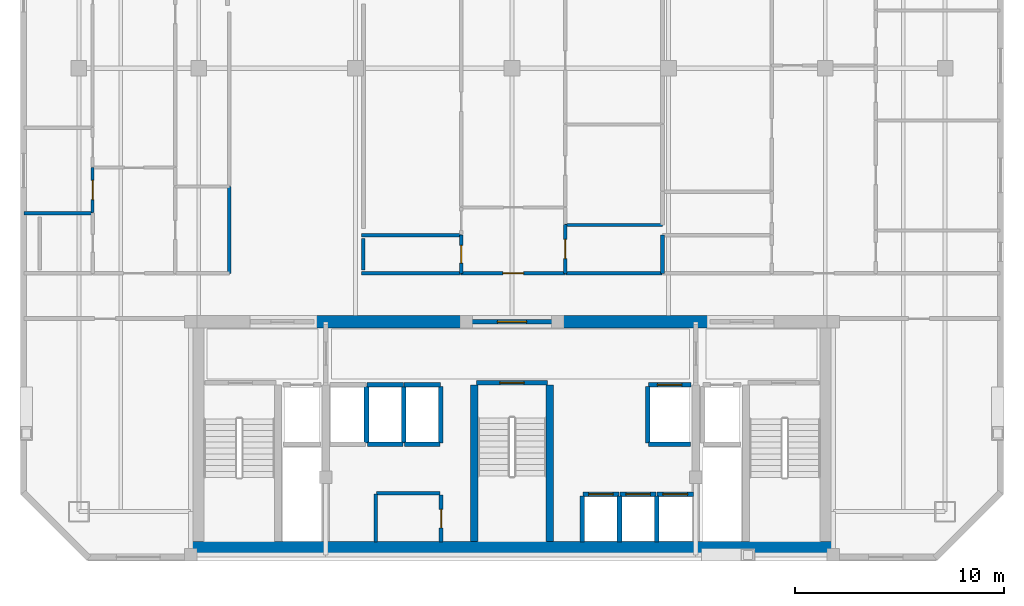
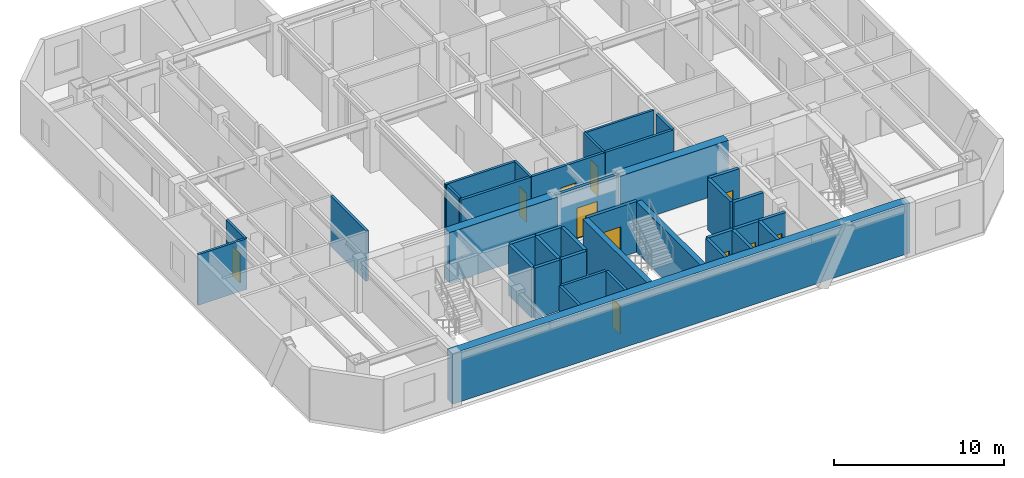
# One storey, part 5 of 10: 38 walls, 11 doors, 11 openings.
"""IFC4 building model written with IfcOpenShell, lengths in metres."""

from ifc_helpers import new_model, si_unit, direction, frame, frame_2d, origin, place, context, subcontext, project, spatial, rectangle, extrude, material, layer, layer_set, type_object, element, fill, save


model = new_model("IFC4")

# Units and contexts
model_context = context("Model", 3, precision=1e-05, world=origin(), true_north=direction((0.0, 1.0)))
body_context = subcontext(model_context, "Body", "Model", "MODEL_VIEW")
ifc_project = project(units=[si_unit("LENGTHUNIT", "METRE"), si_unit("AREAUNIT", "SQUARE_METRE"), si_unit("VOLUMEUNIT", "CUBIC_METRE"), si_unit("PLANEANGLEUNIT", "RADIAN"), si_unit("MASSUNIT", "GRAM", prefix="KILO")], contexts=[model_context])

# Site, building, storey
site_placement = place(None, origin())
site = spatial("IfcSite", under=ifc_project, at=site_placement, CompositionType="ELEMENT")
building_placement = place(site_placement, origin())
building = spatial("IfcBuilding", under=site, at=building_placement, Name="Ventersveld Concourse Tower", CompositionType="ELEMENT")
storey_placement = place(building_placement, frame((0.0, 0.0, 208.0)))
storey = spatial("IfcBuildingStorey", under=building, at=storey_placement, Name="L51", CompositionType="ELEMENT", Elevation=208.0)

# Walls
ifc_material_1 = material(Name="Concrete C50/60", Category="concrete")
ifc_layer_1 = layer(ifc_material_1, 0.35009765625)
ifc_layer_set_1 = layer_set([ifc_layer_1], Name="Concrete C50/60")
wall_type_1 = type_object("IfcWallType", Name="WL-CORE-350U", PredefinedType="SHEAR", material=ifc_layer_set_1)
for number, where, z_axis, x_axis, name in (
    (1, (26.93994140625, 0.919921875, 0.0), (0.0, 0.0, 1.0), (0.0, 1.0, 0.0), "L51 Core Internal Shear Web W-ST3-W"),
    (2, (30.56005859375, 0.919921875, 0.0), (0.0, 0.0, 1.0), (0.0, 1.0, 0.0), "L51 Core Internal Shear Web W-ST3-E"),
):
    element("IfcWall", number, at=place(storey_placement, frame(where, z_axis=z_axis, x_axis=x_axis)), inside=storey, type_object=wall_type_1, Name=name, PredefinedType="SHEAR", context=body_context, shape_type="SweptSolid", body=[
        extrude(rectangle(XDim=7.5, YDim=0.35009765625, at=frame_2d((3.75, 0.0))), origin(), (0.0, 0.0, 1.0), 3.6298828125),
    ])
ifc_layer_2 = layer(ifc_material_1, 0.60009765625)
ifc_layer_set_2 = layer_set([ifc_layer_2], Name="Concrete C50/60")
wall_type_2 = type_object("IfcWallType", Name="WL-CORE-600", PredefinedType="SHEAR", material=ifc_layer_set_2)
wall_1_placement = place(storey_placement, frame((13.25, 0.6201171875, 0.0), z_axis=(0.0, 0.0, 1.0), x_axis=(1.0, 0.0, 0.0)))
element("IfcWall", 3, at=wall_1_placement, inside=storey, type_object=wall_type_2, Name="L51 Rear Core South Shear Wall", PredefinedType="SHEAR", context=body_context, shape_type="SweptSolid", body=[
    extrude(rectangle(XDim=31.0, YDim=0.60009765625, at=frame_2d((15.5, 0.0))), origin(), (0.0, 0.0, 1.0), 3.6298828125),
])
for number, where, z_axis, x_axis, name in (
    (4, (19.300048828125, 11.449951171875, 0.0), (0.0, 0.0, 1.0), (1.0, 0.0, 0.0), "L51 Rear Core North Shear Wall NML"),
    (5, (30.89990234375, 11.449951171875, 0.0), (0.0, 0.0, 1.0), (1.0, 0.0, 0.0), "L51 Rear Core North Shear Wall NMR"),
):
    element("IfcWall", number, at=place(storey_placement, frame(where, z_axis=z_axis, x_axis=x_axis)), inside=storey, type_object=wall_type_2, Name=name, PredefinedType="SHEAR", context=body_context, shape_type="SweptSolid", body=[
        extrude(rectangle(XDim=7.300048828125, YDim=0.60009765625, at=frame_2d((3.64990234375, 0.0))), origin(), (0.0, 0.0, 1.0), 3.6298828125),
    ])

# Wall, opening, door
ifc_material_2 = material(Name="Fire-rated autoclaved aerated masonry blockwork", Category="masonry")
ifc_layer_3 = layer(ifc_material_2, 0.179931640625)
ifc_layer_set_3 = layer_set([ifc_layer_3], Name="Fire-rated autoclaved aerated masonry blockwork")
wall_type_3 = type_object("IfcWallType", Name="WL-CORR-180", PredefinedType="PARTITIONING", material=ifc_layer_set_3)
wall_2_placement = place(storey_placement, frame((25.35009765625, 0.89990234375, 0.0), z_axis=(0.0, 0.0, 1.0), x_axis=(0.0, 1.0, 0.0)))
wall_2 = element("IfcWall", 6, at=wall_2_placement, inside=storey, type_object=wall_type_3, Name="L51 Core Passage Wall SP-L51-RECB1", PredefinedType="PARTITIONING", context=body_context, shape_type="SweptSolid", body=[
    extrude(rectangle(XDim=2.239990234375, YDim=0.179931640625, at=frame_2d((1.1201171875, 0.0))), origin(), (0.0, 0.0, 1.0), 3.6298828125),
])
opening_1_placement = place(wall_2_placement, frame((0.679931640625, 0.0, 0.0)))
opening_1 = element("IfcOpeningElement", 7, at=opening_1_placement, cuts=wall_2, Name="Opening FD5", PredefinedType="OPENING", context=body_context, shape_type="SweptSolid", body=[
    extrude(rectangle(XDim=0.8798828125, YDim=2.050048828125, at=frame_2d((0.43994140625, 1.02490234375))), frame((0.0, 0.10009765625, 0.0), z_axis=(0.0, -1.0, 0.0), x_axis=(1.0, 0.0, 0.0)), (0.0, 0.0, 1.0), 0.199951171875),
])
ifc_material_3 = material(Name="Galvanised painted steel", Category="steel")
door_type_1 = type_object("IfcDoorType", Name="DR-RISER-088", OperationType="NOTDEFINED", PredefinedType="DOOR", material=ifc_material_3)
door_1_placement = place(opening_1_placement, origin())
door_1 = element("IfcDoor", 8, at=door_1_placement, inside=storey, type_object=door_type_1, Name="L51 Core Room Door L51 Reclaimed Core Residents Reading Room (CD-L51-2475)", OperationType="SINGLE_SWING_RIGHT", OverallHeight=2.050048828125, OverallWidth=0.8798828125, PredefinedType="DOOR", context=body_context, shape_type="SweptSolid", body=[
    extrude(rectangle(XDim=0.8798828125, YDim=2.050048828125, at=frame_2d((0.43994140625, 1.02490234375))), frame((0.0, 0.02490234375, 0.0), z_axis=(0.0, -1.0, 0.0), x_axis=(1.0, 0.0, 0.0)), (0.0, 0.0, 1.0), 0.050048828125),
])
fill(opening_1, door_1)

# Walls
wall_3_placement = place(storey_placement, frame((22.260009765625, 3.22998046875, 0.0), z_axis=(0.0, 0.0, 1.0), x_axis=(1.0, 0.0, 0.0)))
element("IfcWall", 9, at=wall_3_placement, inside=storey, type_object=wall_type_3, Name="L51 Core Top Wall SP-L51-RECB1", PredefinedType="PARTITIONING", context=body_context, shape_type="SweptSolid", body=[
    extrude(rectangle(XDim=3.0400390625, YDim=0.179931640625, at=frame_2d((1.52001953125, 0.0))), origin(), (0.0, 0.0, 1.0), 3.6298828125),
])
wall_4_placement = place(storey_placement, frame((22.219970703125, 0.909912109375, 0.0), z_axis=(0.0, 0.0, 1.0), x_axis=(0.0, 1.0, 0.0)))
element("IfcWall", 10, at=wall_4_placement, inside=storey, type_object=wall_type_3, Name="L51 Core West Wall SP-L51-RECB1", PredefinedType="PARTITIONING", context=body_context, shape_type="SweptSolid", body=[
    extrude(rectangle(XDim=2.280029296875, YDim=0.179931640625, at=frame_2d((1.14013671875, 0.0))), origin(), (0.0, 0.0, 1.0), 3.6298828125),
])
wall_5_placement = place(storey_placement, frame((15.2099609375, 13.764892578125, 0.0), z_axis=(0.0, 0.0, 1.0), x_axis=(0.0, 1.0, 0.0)))
element("IfcWall", 11, at=wall_5_placement, inside=storey, type_object=wall_type_3, Name="L51 Interior Partition SP-L51-COR-SP-L51-51NW-KIT", PredefinedType="PARTITIONING", context=body_context, shape_type="SweptSolid", body=[
    extrude(rectangle(XDim=4.17138671875, YDim=0.179931640625, at=frame_2d((2.085693359375, 0.0))), origin(), (0.0, 0.0, 1.0), 3.6298828125),
])

# Wall, opening, door
wall_6_placement = place(storey_placement, frame((26.314208984375, 13.77001953125, 0.0), z_axis=(0.0, 0.0, 1.0), x_axis=(1.0, 0.0, 0.0)))
wall_6 = element("IfcWall", 12, at=wall_6_placement, inside=storey, type_object=wall_type_3, Name="L51 Interior Partition SP-L51-COR-SP-L51-51CM-FOY", PredefinedType="PARTITIONING", context=body_context, shape_type="SweptSolid", body=[
    extrude(rectangle(XDim=4.989990234375, YDim=0.179931640625, at=frame_2d((2.4951171875, 0.0))), origin(), (0.0, 0.0, 1.0), 3.6298828125),
])
opening_2_placement = place(wall_6_placement, frame((1.9951171875, 0.0, 0.0)))
opening_2 = element("IfcOpeningElement", 13, at=opening_2_placement, cuts=wall_6, Name="Opening FD3", PredefinedType="OPENING", context=body_context, shape_type="SweptSolid", body=[
    extrude(rectangle(XDim=1.0, YDim=2.14990234375, at=frame_2d((0.5, 1.074951171875))), frame((0.0, 0.10009765625, 0.0), z_axis=(0.0, -1.0, 0.0), x_axis=(1.0, 0.0, 0.0)), (0.0, 0.0, 1.0), 0.199951171875),
])
ifc_material_4 = material(Name="Solid-core hardwood veneer timber", Category="wood")
door_type_2 = type_object("IfcDoorType", Name="DR-FLAT-100", OperationType="NOTDEFINED", PredefinedType="DOOR", material=ifc_material_4)
door_2_placement = place(opening_2_placement, origin())
door_2 = element("IfcDoor", 14, at=door_2_placement, inside=storey, type_object=door_type_2, Name="L51 Interior Door SP-L51-COR to SP-L51-51CM-FOY (FD-L51-2480)", OperationType="SINGLE_SWING_RIGHT", OverallHeight=2.14990234375, OverallWidth=1.0, PredefinedType="DOOR", context=body_context, shape_type="SweptSolid", body=[
    extrude(rectangle(XDim=1.0, YDim=2.14990234375, at=frame_2d((0.5, 1.074951171875))), frame((0.0, 0.02490234375, 0.0), z_axis=(0.0, -1.0, 0.0), x_axis=(1.0, 0.0, 0.0)), (0.0, 0.0, 1.0), 0.050048828125),
])
fill(opening_2, door_2)

# Walls
wall_7_placement = place(storey_placement, frame((21.534912109375, 13.77001953125, 0.0), z_axis=(0.0, 0.0, 1.0), x_axis=(1.0, 0.0, 0.0)))
element("IfcWall", 15, at=wall_7_placement, inside=storey, type_object=wall_type_3, Name="L51 Interior Partition SP-L51-COR-SP-L51-51CM-BATH", PredefinedType="PARTITIONING", context=body_context, shape_type="SweptSolid", body=[
    extrude(rectangle(XDim=4.749267578125, YDim=0.179931640625, at=frame_2d((2.37451171875, 0.0))), origin(), (0.0, 0.0, 1.0), 3.6298828125),
])
wall_8_placement = place(storey_placement, frame((31.334228515625, 13.77001953125, 0.0), z_axis=(0.0, 0.0, 1.0), x_axis=(1.0, 0.0, 0.0)))
element("IfcWall", 16, at=wall_8_placement, inside=storey, type_object=wall_type_3, Name="L51 Interior Partition SP-L51-COR-SP-L51-51CM-KIT", PredefinedType="PARTITIONING", context=body_context, shape_type="SweptSolid", body=[
    extrude(rectangle(XDim=4.5908203125, YDim=0.179931640625, at=frame_2d((2.29541015625, 0.0))), origin(), (0.0, 0.0, 1.0), 3.6298828125),
])
ifc_layer_4 = layer(ifc_material_2, 0.199951171875)
ifc_layer_set_4 = layer_set([ifc_layer_4], Name="Fire-rated autoclaved aerated masonry blockwork")
wall_type_4 = type_object("IfcWallType", Name="WL-DEMISE-200", PredefinedType="PARTITIONING", material=ifc_layer_set_4)
wall_9_placement = place(storey_placement, frame((35.9599609375, 13.764892578125, 0.0), z_axis=(0.0, 0.0, 1.0), x_axis=(0.0, 1.0, 0.0)))
element("IfcWall", 17, at=wall_9_placement, inside=storey, type_object=wall_type_4, Name="L51 Interior Partition SP-L51-51CE-BATH-SP-L51-51CM-KIT", PredefinedType="PARTITIONING", context=body_context, shape_type="SweptSolid", body=[
    extrude(rectangle(XDim=1.840087890625, YDim=0.199951171875, at=frame_2d((0.919921875, 0.0))), origin(), (0.0, 0.0, 1.0), 3.6298828125),
])
ifc_layer_5 = layer(ifc_material_2, 0.219970703125)
ifc_layer_set_5 = layer_set([ifc_layer_5], Name="Fire-rated autoclaved aerated masonry blockwork")
wall_type_5 = type_object("IfcWallType", Name="WL-HOIST-220", PredefinedType="SOLIDWALL", material=ifc_layer_set_5)
wall_10_placement = place(storey_placement, frame((35.300048828125, 5.590087890625, 0.0), z_axis=(0.0, 0.0, 1.0), x_axis=(1.0, 0.0, 0.0)))
element("IfcWall", 18, at=wall_10_placement, inside=storey, type_object=wall_type_5, Name="L51 Lift Hoistway Back Wall SVL-01", PredefinedType="SOLIDWALL", context=body_context, shape_type="SweptSolid", body=[
    extrude(rectangle(XDim=2.0, YDim=0.219970703125, at=frame_2d((1.0, 0.0))), origin(), (0.0, 0.0, 1.0), 3.6298828125),
])
wall_11_placement = place(storey_placement, frame((35.260009765625, 5.64990234375, 0.0), z_axis=(0.0, 0.0, 1.0), x_axis=(0.0, 1.0, 0.0)))
element("IfcWall", 19, at=wall_11_placement, inside=storey, type_object=wall_type_5, Name="L51 Lift Hoistway Side Wall SVL-01W", PredefinedType="SOLIDWALL", context=body_context, shape_type="SweptSolid", body=[
    extrude(rectangle(XDim=2.7001953125, YDim=0.219970703125, at=frame_2d((1.35009765625, 0.0))), origin(), (0.0, 0.0, 1.0), 3.6298828125),
])

# Wall, opening, door
wall_12_placement = place(storey_placement, frame((35.280029296875, 8.429931640625, 0.0), z_axis=(0.0, 0.0, 1.0), x_axis=(1.0, 0.0, 0.0)))
wall_12 = element("IfcWall", 20, at=wall_12_placement, inside=storey, type_object=wall_type_5, Name="L51 Lift Hoistway Front Wall SVL-01", PredefinedType="SOLIDWALL", context=body_context, shape_type="SweptSolid", body=[
    extrude(rectangle(XDim=2.0400390625, YDim=0.219970703125, at=frame_2d((1.02001953125, 0.0))), origin(), (0.0, 0.0, 1.0), 3.6298828125),
])
opening_3_placement = place(wall_12_placement, frame((0.429931640625, 0.0, 0.0)))
opening_3 = element("IfcOpeningElement", 21, at=opening_3_placement, cuts=wall_12, Name="Opening LD2", PredefinedType="OPENING", context=body_context, shape_type="SweptSolid", body=[
    extrude(rectangle(XDim=1.179931640625, YDim=2.199951171875, at=frame_2d((0.58984375, 1.10009765625))), frame((0.0, 0.1201171875, 0.0), z_axis=(0.0, -1.0, 0.0), x_axis=(1.0, 0.0, 0.0)), (0.0, 0.0, 1.0), 0.239990234375),
])
ifc_material_5 = material(Name="Brushed stainless steel 316", Category="steel")
door_type_3 = type_object("IfcDoorType", Name="LD-PAX-118", OperationType="SLIDING_TO_LEFT", PredefinedType="DOOR", material=ifc_material_5)
door_3_placement = place(opening_3_placement, origin())
door_3 = element("IfcDoor", 22, at=door_3_placement, inside=storey, type_object=door_type_3, Name="L51 Lift landing door SVL-01 (LD-L51-SVL-01)", OperationType="SLIDING_TO_LEFT", OverallHeight=2.199951171875, OverallWidth=1.179931640625, PredefinedType="DOOR", context=body_context, shape_type="SweptSolid", body=[
    extrude(rectangle(XDim=1.179931640625, YDim=2.199951171875, at=frame_2d((0.58984375, 1.10009765625))), frame((0.0, 0.02490234375, 0.0), z_axis=(0.0, -1.0, 0.0), x_axis=(1.0, 0.0, 0.0)), (0.0, 0.0, 1.0), 0.050048828125),
])
fill(opening_3, door_3)

# Walls
for number, where, z_axis, x_axis, name in (
    (23, (32.1201171875, 0.89990234375, 0.0), (0.0, 0.0, 1.0), (0.0, 1.0, 0.0), "L51 Lift Hoistway Side Wall PM-01W"),
    (24, (33.89990234375, 0.89990234375, 0.0), (0.0, 0.0, 1.0), (0.0, 1.0, 0.0), "L51 Lift Hoistway Side Wall PM-01E"),
):
    element("IfcWall", number, at=place(storey_placement, frame(where, z_axis=z_axis, x_axis=x_axis)), inside=storey, type_object=wall_type_5, Name=name, PredefinedType="SOLIDWALL", context=body_context, shape_type="SweptSolid", body=[
        extrude(rectangle(XDim=2.2001953125, YDim=0.219970703125, at=frame_2d((1.10009765625, 0.0))), origin(), (0.0, 0.0, 1.0), 3.6298828125),
    ])

# Wall, opening, door
wall_13_placement = place(storey_placement, frame((32.139892578125, 3.179931640625, 0.0), z_axis=(0.0, 0.0, 1.0), x_axis=(1.0, 0.0, 0.0)))
wall_13 = element("IfcWall", 25, at=wall_13_placement, inside=storey, type_object=wall_type_5, Name="L51 Lift Hoistway Front Wall PM-01", PredefinedType="SOLIDWALL", context=body_context, shape_type="SweptSolid", body=[
    extrude(rectangle(XDim=1.739990234375, YDim=0.219970703125, at=frame_2d((0.8701171875, 0.0))), origin(), (0.0, 0.0, 1.0), 3.6298828125),
])
opening_4_placement = place(wall_13_placement, frame((0.280029296875, 0.0, 0.0)))
opening_4 = element("IfcOpeningElement", 26, at=opening_4_placement, cuts=wall_13, Name="Opening LD2", PredefinedType="OPENING", context=body_context, shape_type="SweptSolid", body=[
    extrude(rectangle(XDim=1.179931640625, YDim=2.199951171875, at=frame_2d((0.58984375, 1.10009765625))), frame((0.0, 0.1201171875, 0.0), z_axis=(0.0, -1.0, 0.0), x_axis=(1.0, 0.0, 0.0)), (0.0, 0.0, 1.0), 0.239990234375),
])
door_4_placement = place(opening_4_placement, origin())
door_4 = element("IfcDoor", 27, at=door_4_placement, inside=storey, type_object=door_type_3, Name="L51 Lift landing door PM-01 (LD-L51-PM-01)", OperationType="SLIDING_TO_RIGHT", OverallHeight=2.199951171875, OverallWidth=1.179931640625, PredefinedType="DOOR", context=body_context, shape_type="SweptSolid", body=[
    extrude(rectangle(XDim=1.179931640625, YDim=2.199951171875, at=frame_2d((0.58984375, 1.10009765625))), frame((0.0, 0.02490234375, 0.0), z_axis=(0.0, -1.0, 0.0), x_axis=(1.0, 0.0, 0.0)), (0.0, 0.0, 1.0), 0.050048828125),
])
fill(opening_4, door_4)

# Wall
wall_14_placement = place(storey_placement, frame((35.679931640625, 0.89990234375, 0.0), z_axis=(0.0, 0.0, 1.0), x_axis=(0.0, 1.0, 0.0)))
element("IfcWall", 28, at=wall_14_placement, inside=storey, type_object=wall_type_5, Name="L51 Lift Hoistway Side Wall PM-02E", PredefinedType="SOLIDWALL", context=body_context, shape_type="SweptSolid", body=[
    extrude(rectangle(XDim=2.2001953125, YDim=0.219970703125, at=frame_2d((1.10009765625, 0.0))), origin(), (0.0, 0.0, 1.0), 3.6298828125),
])

# Wall, opening, door
wall_15_placement = place(storey_placement, frame((33.919921875, 3.179931640625, 0.0), z_axis=(0.0, 0.0, 1.0), x_axis=(1.0, 0.0, 0.0)))
wall_15 = element("IfcWall", 29, at=wall_15_placement, inside=storey, type_object=wall_type_5, Name="L51 Lift Hoistway Front Wall PM-02", PredefinedType="SOLIDWALL", context=body_context, shape_type="SweptSolid", body=[
    extrude(rectangle(XDim=1.739990234375, YDim=0.219970703125, at=frame_2d((0.8701171875, 0.0))), origin(), (0.0, 0.0, 1.0), 3.6298828125),
])
opening_5_placement = place(wall_15_placement, frame((0.280029296875, 0.0, 0.0)))
opening_5 = element("IfcOpeningElement", 30, at=opening_5_placement, cuts=wall_15, Name="Opening LD2", PredefinedType="OPENING", context=body_context, shape_type="SweptSolid", body=[
    extrude(rectangle(XDim=1.179931640625, YDim=2.199951171875, at=frame_2d((0.58984375, 1.10009765625))), frame((0.0, 0.1201171875, 0.0), z_axis=(0.0, -1.0, 0.0), x_axis=(1.0, 0.0, 0.0)), (0.0, 0.0, 1.0), 0.239990234375),
])
door_5_placement = place(opening_5_placement, origin())
door_5 = element("IfcDoor", 31, at=door_5_placement, inside=storey, type_object=door_type_3, Name="L51 Lift landing door PM-02 (LD-L51-PM-02)", OperationType="SLIDING_TO_LEFT", OverallHeight=2.199951171875, OverallWidth=1.179931640625, PredefinedType="DOOR", context=body_context, shape_type="SweptSolid", body=[
    extrude(rectangle(XDim=1.179931640625, YDim=2.199951171875, at=frame_2d((0.58984375, 1.10009765625))), frame((0.0, 0.02490234375, 0.0), z_axis=(0.0, -1.0, 0.0), x_axis=(1.0, 0.0, 0.0)), (0.0, 0.0, 1.0), 0.050048828125),
])
fill(opening_5, door_5)

wall_16_placement = place(storey_placement, frame((35.699951171875, 3.179931640625, 0.0), z_axis=(0.0, 0.0, 1.0), x_axis=(1.0, 0.0, 0.0)))
wall_16 = element("IfcWall", 32, at=wall_16_placement, inside=storey, type_object=wall_type_5, Name="L51 Lift Hoistway Front Wall PM-03", PredefinedType="SOLIDWALL", context=body_context, shape_type="SweptSolid", body=[
    extrude(rectangle(XDim=1.739990234375, YDim=0.219970703125, at=frame_2d((0.8701171875, 0.0))), origin(), (0.0, 0.0, 1.0), 3.6298828125),
])
opening_6_placement = place(wall_16_placement, frame((0.280029296875, 0.0, 0.0)))
opening_6 = element("IfcOpeningElement", 33, at=opening_6_placement, cuts=wall_16, Name="Opening LD2", PredefinedType="OPENING", context=body_context, shape_type="SweptSolid", body=[
    extrude(rectangle(XDim=1.179931640625, YDim=2.199951171875, at=frame_2d((0.58984375, 1.10009765625))), frame((0.0, 0.1201171875, 0.0), z_axis=(0.0, -1.0, 0.0), x_axis=(1.0, 0.0, 0.0)), (0.0, 0.0, 1.0), 0.239990234375),
])
door_6_placement = place(opening_6_placement, origin())
door_6 = element("IfcDoor", 34, at=door_6_placement, inside=storey, type_object=door_type_3, Name="L51 Lift landing door PM-03 (LD-L51-PM-03)", OperationType="SLIDING_TO_RIGHT", OverallHeight=2.199951171875, OverallWidth=1.179931640625, PredefinedType="DOOR", context=body_context, shape_type="SweptSolid", body=[
    extrude(rectangle(XDim=1.179931640625, YDim=2.199951171875, at=frame_2d((0.58984375, 1.10009765625))), frame((0.0, 0.02490234375, 0.0), z_axis=(0.0, -1.0, 0.0), x_axis=(1.0, 0.0, 0.0)), (0.0, 0.0, 1.0), 0.050048828125),
])
fill(opening_6, door_6)

# Walls
wall_17_placement = place(storey_placement, frame((21.780029296875, 5.64990234375, 0.0), z_axis=(0.0, 0.0, 1.0), x_axis=(0.0, 1.0, 0.0)))
element("IfcWall", 35, at=wall_17_placement, inside=storey, type_object=wall_type_5, Name="L51 Lift Hoistway Side Wall PH-01E", PredefinedType="SOLIDWALL", context=body_context, shape_type="SweptSolid", body=[
    extrude(rectangle(XDim=2.7001953125, YDim=0.219970703125, at=frame_2d((1.35009765625, 0.0))), origin(), (0.0, 0.0, 1.0), 3.6298828125),
])
wall_18_placement = place(storey_placement, frame((21.820068359375, 5.590087890625, 0.0), z_axis=(0.0, 0.0, 1.0), x_axis=(1.0, 0.0, 0.0)))
element("IfcWall", 36, at=wall_18_placement, inside=storey, type_object=wall_type_5, Name="L51 Lift Hoistway Back Wall PH-02", PredefinedType="SOLIDWALL", context=body_context, shape_type="SweptSolid", body=[
    extrude(rectangle(XDim=1.699951171875, YDim=0.219970703125, at=frame_2d((0.85009765625, 0.0))), origin(), (0.0, 0.0, 1.0), 3.6298828125),
])
wall_19_placement = place(storey_placement, frame((23.56005859375, 5.64990234375, 0.0), z_axis=(0.0, 0.0, 1.0), x_axis=(0.0, 1.0, 0.0)))
element("IfcWall", 37, at=wall_19_placement, inside=storey, type_object=wall_type_5, Name="L51 Lift Hoistway Side Wall PH-02E", PredefinedType="SOLIDWALL", context=body_context, shape_type="SweptSolid", body=[
    extrude(rectangle(XDim=2.7001953125, YDim=0.219970703125, at=frame_2d((1.35009765625, 0.0))), origin(), (0.0, 0.0, 1.0), 3.6298828125),
])
wall_20_placement = place(storey_placement, frame((21.800048828125, 8.429931640625, 0.0), z_axis=(0.0, 0.0, 1.0), x_axis=(1.0, 0.0, 0.0)))
element("IfcWall", 38, at=wall_20_placement, inside=storey, type_object=wall_type_5, Name="L51 Lift Hoistway Front Wall PH-02", PredefinedType="SOLIDWALL", context=body_context, shape_type="SweptSolid", body=[
    extrude(rectangle(XDim=1.739990234375, YDim=0.219970703125, at=frame_2d((0.8701171875, 0.0))), origin(), (0.0, 0.0, 1.0), 3.6298828125),
])
wall_21_placement = place(storey_placement, frame((23.60009765625, 5.590087890625, 0.0), z_axis=(0.0, 0.0, 1.0), x_axis=(1.0, 0.0, 0.0)))
element("IfcWall", 39, at=wall_21_placement, inside=storey, type_object=wall_type_5, Name="L51 Lift Hoistway Back Wall PH-03", PredefinedType="SOLIDWALL", context=body_context, shape_type="SweptSolid", body=[
    extrude(rectangle(XDim=1.699951171875, YDim=0.219970703125, at=frame_2d((0.85009765625, 0.0))), origin(), (0.0, 0.0, 1.0), 3.6298828125),
])
wall_22_placement = place(storey_placement, frame((25.340087890625, 5.64990234375, 0.0), z_axis=(0.0, 0.0, 1.0), x_axis=(0.0, 1.0, 0.0)))
element("IfcWall", 40, at=wall_22_placement, inside=storey, type_object=wall_type_5, Name="L51 Lift Hoistway Side Wall PH-03E", PredefinedType="SOLIDWALL", context=body_context, shape_type="SweptSolid", body=[
    extrude(rectangle(XDim=2.7001953125, YDim=0.219970703125, at=frame_2d((1.35009765625, 0.0))), origin(), (0.0, 0.0, 1.0), 3.6298828125),
])
wall_23_placement = place(storey_placement, frame((23.580078125, 8.429931640625, 0.0), z_axis=(0.0, 0.0, 1.0), x_axis=(1.0, 0.0, 0.0)))
element("IfcWall", 41, at=wall_23_placement, inside=storey, type_object=wall_type_5, Name="L51 Lift Hoistway Front Wall PH-03", PredefinedType="SOLIDWALL", context=body_context, shape_type="SweptSolid", body=[
    extrude(rectangle(XDim=1.739990234375, YDim=0.219970703125, at=frame_2d((0.8701171875, 0.0))), origin(), (0.0, 0.0, 1.0), 3.6298828125),
])

# Wall, opening, door
wall_24_placement = place(storey_placement, frame((27.0400390625, 8.52001953125, 0.0), z_axis=(0.0, 0.0, 1.0), x_axis=(1.0, 0.0, 0.0)))
wall_24 = element("IfcWall", 42, at=wall_24_placement, inside=storey, type_object=wall_type_5, Name="L51 Escape Stair ST03 Fire Wall", PredefinedType="SOLIDWALL", context=body_context, shape_type="SweptSolid", body=[
    extrude(rectangle(XDim=3.419921875, YDim=0.219970703125, at=frame_2d((1.7099609375, 0.0))), origin(), (0.0, 0.0, 1.0), 3.6298828125),
])
opening_7_placement = place(wall_24_placement, frame((1.135009765625, 0.0, 0.0)))
opening_7 = element("IfcOpeningElement", 43, at=opening_7_placement, cuts=wall_24, Name="Opening FD1", PredefinedType="OPENING", context=body_context, shape_type="SweptSolid", body=[
    extrude(rectangle(XDim=1.14990234375, YDim=2.199951171875, at=frame_2d((0.574951171875, 1.10009765625))), frame((0.0, 0.1201171875, 0.0), z_axis=(0.0, -1.0, 0.0), x_axis=(1.0, 0.0, 0.0)), (0.0, 0.0, 1.0), 0.239990234375),
])
door_type_4 = type_object("IfcDoorType", Name="DR-STAIR-115", OperationType="NOTDEFINED", PredefinedType="DOOR", material=ifc_material_3)
door_7_placement = place(opening_7_placement, origin())
door_7 = element("IfcDoor", 44, at=door_7_placement, inside=storey, type_object=door_type_4, Name="L51 Escape Stair Door ST03 (SD-L51-2469)", OperationType="SINGLE_SWING_LEFT", OverallHeight=2.199951171875, OverallWidth=1.14990234375, PredefinedType="DOOR", context=body_context, shape_type="SweptSolid", body=[
    extrude(rectangle(XDim=1.14990234375, YDim=2.199951171875, at=frame_2d((0.574951171875, 1.10009765625))), frame((0.0, 0.02490234375, 0.0), z_axis=(0.0, -1.0, 0.0), x_axis=(1.0, 0.0, 0.0)), (0.0, 0.0, 1.0), 0.050048828125),
])
fill(opening_7, door_7)

wall_25_placement = place(storey_placement, frame((26.6298828125, 11.449951171875, 0.0), z_axis=(0.0, 0.0, 1.0), x_axis=(1.0, 0.0, 0.0)))
wall_25 = element("IfcWall", 45, at=wall_25_placement, inside=storey, type_object=wall_type_5, Name="L51 Core North Fire Portal PLOB-OUT", PredefinedType="SOLIDWALL", context=body_context, shape_type="SweptSolid", body=[
    extrude(rectangle(XDim=4.240234375, YDim=0.219970703125, at=frame_2d((2.1201171875, 0.0))), origin(), (0.0, 0.0, 1.0), 3.6298828125),
])
opening_8_placement = place(wall_25_placement, frame((1.419921875, 0.0, 0.0)))
opening_8 = element("IfcOpeningElement", 46, at=opening_8_placement, cuts=wall_25, Name="Opening FD4", PredefinedType="OPENING", context=body_context, shape_type="SweptSolid", body=[
    extrude(rectangle(XDim=1.39990234375, YDim=2.199951171875, at=frame_2d((0.699951171875, 1.10009765625))), frame((0.0, 0.1201171875, 0.0), z_axis=(0.0, -1.0, 0.0), x_axis=(1.0, 0.0, 0.0)), (0.0, 0.0, 1.0), 0.239990234375),
])
door_type_5 = type_object("IfcDoorType", Name="DR-PLANT-140", OperationType="DOUBLE_DOOR_SINGLE_SWING", PredefinedType="DOOR", material=ifc_material_3)
door_8_placement = place(opening_8_placement, origin())
door_8 = element("IfcDoor", 47, at=door_8_placement, inside=storey, type_object=door_type_5, Name="L51 Core Lobby Fire Door PLOB-OUT (FD-L51-2473)", OperationType="DOUBLE_DOOR_SINGLE_SWING", OverallHeight=2.199951171875, OverallWidth=1.39990234375, PredefinedType="DOOR", context=body_context, shape_type="SweptSolid", body=[
    extrude(rectangle(XDim=1.39990234375, YDim=2.199951171875, at=frame_2d((0.699951171875, 1.10009765625))), frame((0.0, 0.02490234375, 0.0), z_axis=(0.0, -1.0, 0.0), x_axis=(1.0, 0.0, 0.0)), (0.0, 0.0, 1.0), 0.050048828125),
])
fill(opening_8, door_8)

ifc_material_6 = material(Name="Autoclaved aerated masonry blockwork", Category="masonry")
ifc_layer_6 = layer(ifc_material_6, 0.14990234375)
ifc_layer_set_6 = layer_set([ifc_layer_6], Name="Autoclaved aerated masonry blockwork")
wall_type_6 = type_object("IfcWallType", Name="WL-INT-150", PredefinedType="PARTITIONING", material=ifc_layer_set_6)
wall_26_placement = place(storey_placement, frame((8.65869140625, 16.680419921875, 0.0), z_axis=(0.0, 0.0, 1.0), x_axis=(0.0, 1.0, 0.0)))
wall_26 = element("IfcWall", 48, at=wall_26_placement, inside=storey, type_object=wall_type_6, Name="L51 Interior Partition SP-L51-51NW-FOY-SP-L51-51NW-PANL0", PredefinedType="PARTITIONING", context=body_context, shape_type="SweptSolid", body=[
    extrude(rectangle(XDim=2.157958984375, YDim=0.14990234375, at=frame_2d((1.0791015625, 0.0))), origin(), (0.0, 0.0, 1.0), 3.6298828125),
])
opening_9_placement = place(wall_26_placement, frame((0.618896484375, 0.0, 0.0)))
opening_9 = element("IfcOpeningElement", 49, at=opening_9_placement, cuts=wall_26, Name="Opening ID1", PredefinedType="OPENING", context=body_context, shape_type="SweptSolid", body=[
    extrude(rectangle(XDim=0.919921875, YDim=2.10009765625, at=frame_2d((0.4599609375, 1.050048828125))), frame((0.0, 0.0849609375, 0.0), z_axis=(0.0, -1.0, 0.0), x_axis=(1.0, 0.0, 0.0)), (0.0, 0.0, 1.0), 0.169921875),
])
door_type_6 = type_object("IfcDoorType", Name="DR-ROOM-092", OperationType="NOTDEFINED", PredefinedType="DOOR", material=ifc_material_4)
door_9_placement = place(opening_9_placement, origin())
door_9 = element("IfcDoor", 50, at=door_9_placement, inside=storey, type_object=door_type_6, Name="L51 Interior Door SP-L51-51NW-FOY to SP-L51-51NW-PANL0 (D-L51-2483)", OperationType="SINGLE_SWING_LEFT", OverallHeight=2.10009765625, OverallWidth=0.919921875, PredefinedType="DOOR", context=body_context, shape_type="SweptSolid", body=[
    extrude(rectangle(XDim=0.919921875, YDim=2.10009765625, at=frame_2d((0.4599609375, 1.050048828125))), frame((0.0, 0.02490234375, 0.0), z_axis=(0.0, -1.0, 0.0), x_axis=(1.0, 0.0, 0.0)), (0.0, 0.0, 1.0), 0.050048828125),
])
fill(opening_9, door_9)

wall_27_placement = place(storey_placement, frame((31.29931640625, 13.764892578125, 0.0), z_axis=(0.0, 0.0, 1.0), x_axis=(0.0, 1.0, 0.0)))
wall_27 = element("IfcWall", 51, at=wall_27_placement, inside=storey, type_object=wall_type_6, Name="L51 Interior Partition SP-L51-51CM-FOY-SP-L51-51CM-KIT", PredefinedType="PARTITIONING", context=body_context, shape_type="SweptSolid", body=[
    extrude(rectangle(XDim=2.33251953125, YDim=0.14990234375, at=frame_2d((1.166259765625, 0.0))), origin(), (0.0, 0.0, 1.0), 3.6298828125),
])
opening_10_placement = place(wall_27_placement, frame((0.706298828125, 0.0, 0.0)))
opening_10 = element("IfcOpeningElement", 52, at=opening_10_placement, cuts=wall_27, Name="Opening ID1", PredefinedType="OPENING", context=body_context, shape_type="SweptSolid", body=[
    extrude(rectangle(XDim=0.919921875, YDim=2.10009765625, at=frame_2d((0.4599609375, 1.050048828125))), frame((0.0, 0.0849609375, 0.0), z_axis=(0.0, -1.0, 0.0), x_axis=(1.0, 0.0, 0.0)), (0.0, 0.0, 1.0), 0.169921875),
])
door_10_placement = place(opening_10_placement, origin())
door_10 = element("IfcDoor", 53, at=door_10_placement, inside=storey, type_object=door_type_6, Name="L51 Interior Door SP-L51-51CM-FOY to SP-L51-51CM-KIT (D-L51-2505)", OperationType="SINGLE_SWING_LEFT", OverallHeight=2.10009765625, OverallWidth=0.919921875, PredefinedType="DOOR", context=body_context, shape_type="SweptSolid", body=[
    extrude(rectangle(XDim=0.919921875, YDim=2.10009765625, at=frame_2d((0.4599609375, 1.050048828125))), frame((0.0, 0.02490234375, 0.0), z_axis=(0.0, -1.0, 0.0), x_axis=(1.0, 0.0, 0.0)), (0.0, 0.0, 1.0), 0.050048828125),
])
fill(opening_10, door_10)

# Walls
wall_28_placement = place(storey_placement, frame((31.294189453125, 16.092529296875, 0.0), z_axis=(0.0, 0.0, 1.0), x_axis=(1.0, 0.0, 0.0)))
element("IfcWall", 54, at=wall_28_placement, inside=storey, type_object=wall_type_6, Name="L51 Interior Partition SP-L51-51CM-KIT-SP-L51-51CM-DENR", PredefinedType="PARTITIONING", context=body_context, shape_type="SweptSolid", body=[
    extrude(rectangle(XDim=4.6708984375, YDim=0.14990234375, at=frame_2d((2.33544921875, 0.0))), origin(), (0.0, 0.0, 1.0), 3.6298828125),
])
ifc_layer_7 = layer(ifc_material_6, 0.1650390625)
ifc_layer_set_7 = layer_set([ifc_layer_7], Name="Autoclaved aerated masonry blockwork")
wall_type_7 = type_object("IfcWallType", Name="WL-WET-165", PredefinedType="PLUMBINGWALL", material=ifc_layer_set_7)
wall_29_placement = place(storey_placement, frame((5.37255859375, 16.645263671875, 0.0), z_axis=(0.0, 0.0, 1.0), x_axis=(1.0, 0.0, 0.0)))
element("IfcWall", 55, at=wall_29_placement, inside=storey, type_object=wall_type_7, Name="L51 Interior Partition SP-L51-51NW-BATH-SP-L51-51NW-PANL0", PredefinedType="PLUMBINGWALL", context=body_context, shape_type="SweptSolid", body=[
    extrude(rectangle(XDim=3.291259765625, YDim=0.1650390625, at=frame_2d((1.6455078125, 0.0))), origin(), (0.0, 0.0, 1.0), 3.6298828125),
])

# Wall, opening, door
wall_30_placement = place(storey_placement, frame((26.319091796875, 13.764892578125, 0.0), z_axis=(0.0, 0.0, 1.0), x_axis=(0.0, 1.0, 0.0)))
wall_30 = element("IfcWall", 56, at=wall_30_placement, inside=storey, type_object=wall_type_7, Name="L51 Interior Partition SP-L51-51CM-FOY-SP-L51-51CM-BATH", PredefinedType="PLUMBINGWALL", context=body_context, shape_type="SweptSolid", body=[
    extrude(rectangle(XDim=1.840087890625, YDim=0.1650390625, at=frame_2d((0.919921875, 0.0))), origin(), (0.0, 0.0, 1.0), 3.6298828125),
])
opening_11_placement = place(wall_30_placement, frame((0.4951171875, 0.0, 0.0)))
opening_11 = element("IfcOpeningElement", 57, at=opening_11_placement, cuts=wall_30, Name="Opening ID2", PredefinedType="OPENING", context=body_context, shape_type="SweptSolid", body=[
    extrude(rectangle(XDim=0.85009765625, YDim=2.10009765625, at=frame_2d((0.425048828125, 1.050048828125))), frame((0.0, 0.092529296875, 0.0), z_axis=(0.0, -1.0, 0.0), x_axis=(1.0, 0.0, 0.0)), (0.0, 0.0, 1.0), 0.18505859375),
])
door_type_7 = type_object("IfcDoorType", Name="DR-BATH-085", OperationType="NOTDEFINED", PredefinedType="DOOR", material=ifc_material_4)
door_11_placement = place(opening_11_placement, origin())
door_11 = element("IfcDoor", 58, at=door_11_placement, inside=storey, type_object=door_type_7, Name="L51 Interior Door SP-L51-51CM-FOY to SP-L51-51CM-BATH (D-L51-2503)", OperationType="SINGLE_SWING_LEFT", OverallHeight=2.10009765625, OverallWidth=0.85009765625, PredefinedType="DOOR", context=body_context, shape_type="SweptSolid", body=[
    extrude(rectangle(XDim=0.85009765625, YDim=2.10009765625, at=frame_2d((0.425048828125, 1.050048828125))), frame((0.0, 0.02490234375, 0.0), z_axis=(0.0, -1.0, 0.0), x_axis=(1.0, 0.0, 0.0)), (0.0, 0.0, 1.0), 0.050048828125),
])
fill(opening_11, door_11)

# Walls
wall_31_placement = place(storey_placement, frame((21.534912109375, 15.60009765625, 0.0), z_axis=(0.0, 0.0, 1.0), x_axis=(1.0, 0.0, 0.0)))
element("IfcWall", 59, at=wall_31_placement, inside=storey, type_object=wall_type_7, Name="L51 Interior Partition SP-L51-51CM-BATH-SP-L51-51CM-SEML0", PredefinedType="PLUMBINGWALL", context=body_context, shape_type="SweptSolid", body=[
    extrude(rectangle(XDim=4.789306640625, YDim=0.1650390625, at=frame_2d((2.39453125, 0.0))), origin(), (0.0, 0.0, 1.0), 3.6298828125),
])
wall_32_placement = place(storey_placement, frame((21.6298828125, 13.93505859375, 0.0), z_axis=(0.0, 0.0, 1.0), x_axis=(0.0, 1.0, 0.0)))
element("IfcWall", 60, at=wall_32_placement, inside=storey, type_object=wall_type_7, Name="L51 Room Enclosure Wall SP-L51-51CM-BATH", PredefinedType="PLUMBINGWALL", context=body_context, shape_type="SweptSolid", body=[
    extrude(rectangle(XDim=1.5, YDim=0.1650390625, at=frame_2d((0.75, 0.0))), origin(), (0.0, 0.0, 1.0), 3.6298828125),
])

save(model, "model.ifc")
